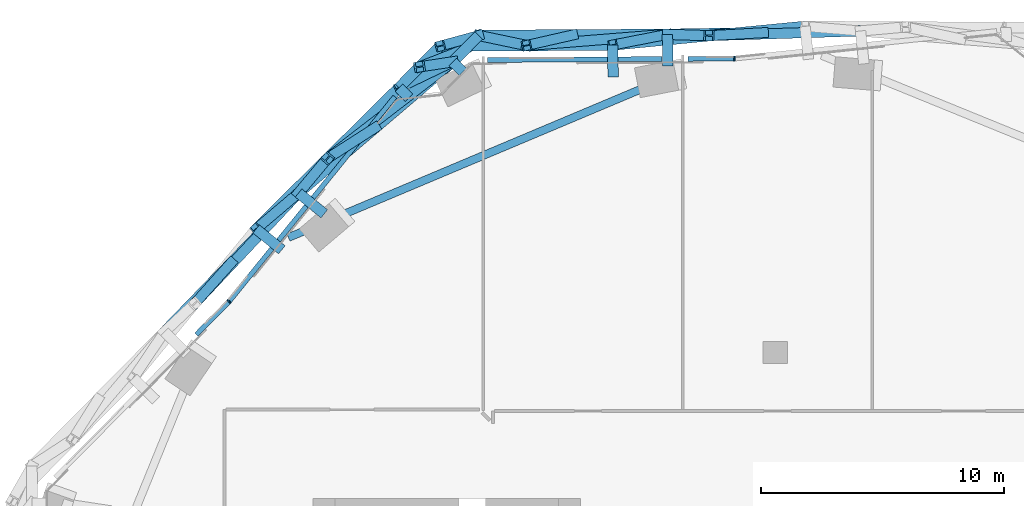
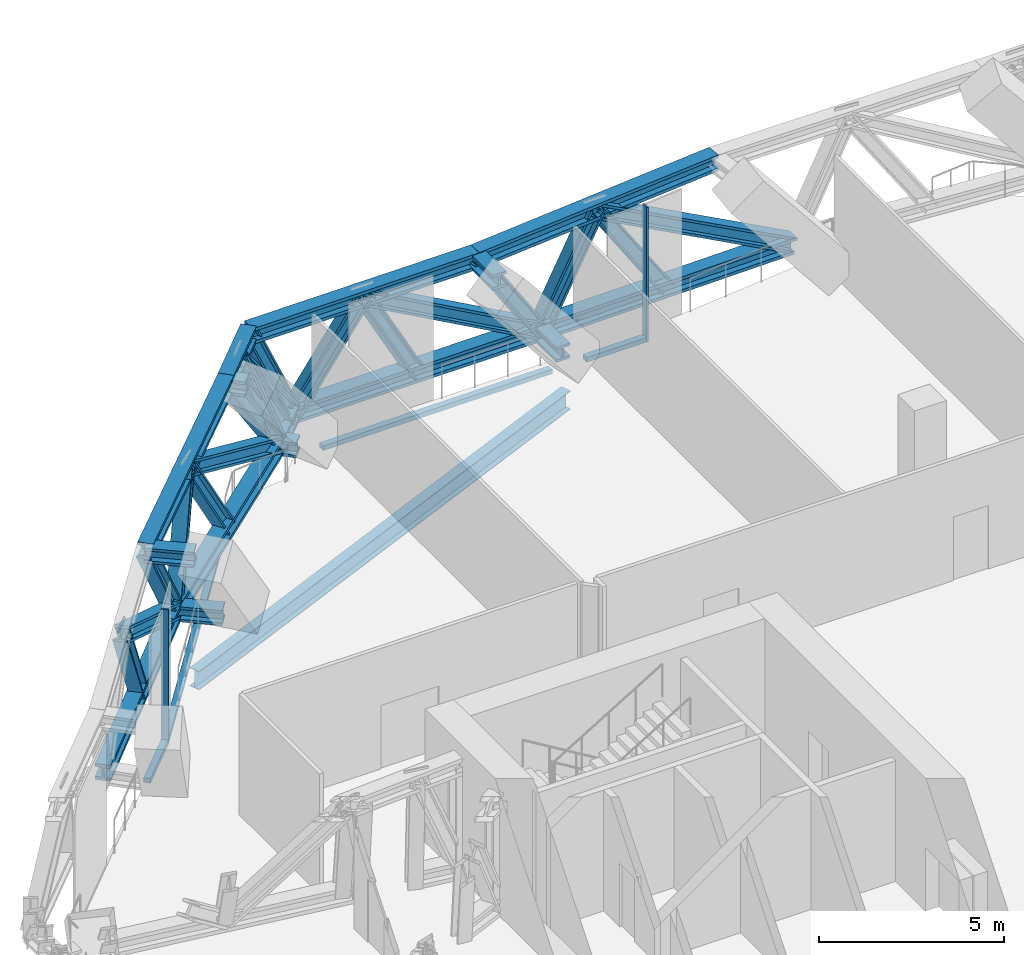
# One storey, part 10 of 27: 39 members, 1 beam, 4 elements without a shape of their own.
"""IFC4 building model written with IfcOpenShell, lengths in metres."""

from ifc_helpers import new_model, si_unit, direction, frame, origin, origin_2d, place, context, subcontext, project, spatial, rectangle, i_section, extrude, material, material_profile, profile_set, type_object, element, aggregate, save


model = new_model("IFC4")

# Units and contexts
model_context = context("Model", 3, precision=1e-05, world=origin(), true_north=direction((0.0, 1.0)))
body_context = subcontext(model_context, "Body", "Model", "MODEL_VIEW")
ifc_project = project(units=[si_unit("LENGTHUNIT", "METRE"), si_unit("AREAUNIT", "SQUARE_METRE"), si_unit("VOLUMEUNIT", "CUBIC_METRE"), si_unit("PLANEANGLEUNIT", "RADIAN"), si_unit("MASSUNIT", "GRAM", prefix="KILO")], contexts=[model_context])

# Site, building, storey
site_placement = place(None, origin())
site = spatial("IfcSite", under=ifc_project, at=site_placement, CompositionType="ELEMENT")
building_placement = place(site_placement, origin())
building = spatial("IfcBuilding", under=site, at=building_placement, Name="Orlundy Tower", CompositionType="ELEMENT")
storey_placement = place(building_placement, frame((0.0, 0.0, 206.10009765625)))
storey = spatial("IfcBuildingStorey", under=building, at=storey_placement, Name="L54", CompositionType="ELEMENT", Elevation=206.10009765625)

# Members
ifc_material_1 = material(Name="Steel ASTM A992 Gr 50", Category="steel")
ifc_material_profile_1 = material_profile(ifc_material_1, i_section(OverallWidth=0.4423828125, OverallDepth=0.531494140625, WebThickness=0.06591796875, FlangeThickness=0.105712890625, at=origin_2d()), Name="W14X605")
ifc_profile_set_1 = profile_set([ifc_material_profile_1], Name="Steel ASTM A992 Gr 50")
member_type_1 = type_object("IfcMemberType", Name="BELT TRUSS chord W14X605", PredefinedType="CHORD", material=ifc_profile_set_1)
member_1_placement = place(storey_placement, frame((3.510986328125, 31.226318359375, 0.28466796875), z_axis=(-0.999845810644, -0.017560038074, 0.0), x_axis=(0.017560038074, -0.999845810644, 0.0)))
element("IfcMember", 1, at=member_1_placement, inside=storey, type_object=member_type_1, Name="Belt truss bottom chord BT-18A", PredefinedType="CHORD", context=body_context, shape_type="SweptSolid", body=[
    extrude(i_section(OverallWidth=0.4423828125, OverallDepth=0.531494140625, WebThickness=0.06591796875, FlangeThickness=0.105712890625, at=origin_2d()), origin(), (0.0, 0.0, 1.0), 7.938720703125),
])
member_2_placement = place(storey_placement, frame((1.231201171875, 31.41357421875, 3.715087890625), z_axis=(-0.995361133107, -0.096209223573, 0.0), x_axis=(0.096209223573, -0.995361133107, 0.0)))
element("IfcMember", 2, at=member_2_placement, inside=storey, type_object=member_type_1, Name="Belt truss top chord BT-18A", PredefinedType="CHORD", context=body_context, shape_type="SweptSolid", body=[
    extrude(i_section(OverallWidth=0.4423828125, OverallDepth=0.531494140625, WebThickness=0.06591796875, FlangeThickness=0.105712890625, at=origin_2d()), origin(), (0.0, 0.0, 1.0), 7.940185546875),
])
member_3_placement = place(storey_placement, frame((-4.426513671875, 31.0869140625, 0.28466796875), z_axis=(-0.999982871016, -0.005853005665, 0.0), x_axis=(0.005853005665, -0.999982871016, 0.0)))
element("IfcMember", 3, at=member_3_placement, inside=storey, type_object=member_type_1, Name="Belt truss bottom chord BT-19A", PredefinedType="CHORD", context=body_context, shape_type="SweptSolid", body=[
    extrude(i_section(OverallWidth=0.4423828125, OverallDepth=0.531494140625, WebThickness=0.06591796875, FlangeThickness=0.105712890625, at=origin_2d()), origin(), (0.0, 0.0, 1.0), 7.758544921875),
])
member_4_placement = place(storey_placement, frame((-6.672119140625, 30.649658203125, 3.715087890625), z_axis=(-0.999982718439, -0.005879015501, 0.0), x_axis=(0.005879015501, -0.999982718439, 0.0)))
element("IfcMember", 4, at=member_4_placement, inside=storey, type_object=member_type_1, Name="Belt truss top chord BT-19A", PredefinedType="CHORD", context=body_context, shape_type="SweptSolid", body=[
    extrude(i_section(OverallWidth=0.4423828125, OverallDepth=0.531494140625, WebThickness=0.06591796875, FlangeThickness=0.105712890625, at=origin_2d()), origin(), (0.0, 0.0, 1.0), 7.101318359375),
])
member_5_placement = place(storey_placement, frame((-12.184814453125, 31.04150390625, 0.28466796875), z_axis=(-0.702932326579, -0.711256735821, 0.0), x_axis=(0.711256735821, -0.702932326579, 0.0)))
element("IfcMember", 5, at=member_5_placement, inside=storey, type_object=member_type_1, Name="Belt truss bottom chord BT-19B", PredefinedType="CHORD", context=body_context, shape_type="SweptSolid", body=[
    extrude(i_section(OverallWidth=0.4423828125, OverallDepth=0.531494140625, WebThickness=0.06591796875, FlangeThickness=0.105712890625, at=origin_2d()), origin(), (0.0, 0.0, 1.0), 1.525146484375),
])
member_6_placement = place(storey_placement, frame((-13.773193359375, 30.60791015625, 3.715087890625), z_axis=(-0.703042465373, -0.71114786921, 0.0), x_axis=(0.71114786921, -0.703042465373, 0.0)))
element("IfcMember", 6, at=member_6_placement, inside=storey, type_object=member_type_1, Name="Belt truss top chord BT-19B", PredefinedType="CHORD", context=body_context, shape_type="SweptSolid", body=[
    extrude(i_section(OverallWidth=0.4423828125, OverallDepth=0.531494140625, WebThickness=0.06591796875, FlangeThickness=0.105712890625, at=origin_2d()), origin(), (0.0, 0.0, 1.0), 2.40966796875),
])
member_7_placement = place(storey_placement, frame((-13.2568359375, 29.956787109375, 0.28466796875), z_axis=(-0.76168381758, -0.647948888445, 0.0), x_axis=(0.647948888445, -0.76168381758, 0.0)))
element("IfcMember", 7, at=member_7_placement, inside=storey, type_object=member_type_1, Name="Belt truss bottom chord BT-20A", PredefinedType="CHORD", context=body_context, shape_type="SweptSolid", body=[
    extrude(i_section(OverallWidth=0.4423828125, OverallDepth=0.531494140625, WebThickness=0.06591796875, FlangeThickness=0.105712890625, at=origin_2d()), origin(), (0.0, 0.0, 1.0), 8.324462890625),
])
member_8_placement = place(storey_placement, frame((-15.46728515625, 28.894287109375, 3.715087890625), z_axis=(-0.710908110132, -0.703284905958, 0.0), x_axis=(0.703284905958, -0.710908110132, 0.0)))
element("IfcMember", 8, at=member_8_placement, inside=storey, type_object=member_type_1, Name="Belt truss top chord BT-20A", PredefinedType="CHORD", context=body_context, shape_type="SweptSolid", body=[
    extrude(i_section(OverallWidth=0.4423828125, OverallDepth=0.531494140625, WebThickness=0.06591796875, FlangeThickness=0.105712890625, at=origin_2d()), origin(), (0.0, 0.0, 1.0), 8.2626953125),
])
member_9_placement = place(storey_placement, frame((-19.597412109375, 24.56298828125, 0.28466796875), z_axis=(-0.69466750229, -0.71933098172, 0.0), x_axis=(0.71933098172, -0.69466750229, 0.0)))
element("IfcMember", 9, at=member_9_placement, inside=storey, type_object=member_type_1, Name="Belt truss bottom chord BT-21A", PredefinedType="CHORD", context=body_context, shape_type="SweptSolid", body=[
    extrude(i_section(OverallWidth=0.4423828125, OverallDepth=0.531494140625, WebThickness=0.06591796875, FlangeThickness=0.105712890625, at=origin_2d()), origin(), (0.0, 0.0, 1.0), 7.93896484375),
])
ifc_material_2 = material(Name="Steel ASTM A992 Gr 50", Category="steel")
ifc_material_profile_2 = material_profile(ifc_material_2, i_section(OverallWidth=0.42431640625, OverallDepth=0.47412109375, WebThickness=0.0478515625, FlangeThickness=0.0771484375, at=origin_2d()), Name="W14X426")
ifc_profile_set_2 = profile_set([ifc_material_profile_2], Name="Steel ASTM A992 Gr 50")
member_type_2 = type_object("IfcMemberType", Name="BELT TRUSS diagonal W14X426", PredefinedType="BRACE", material=ifc_profile_set_2)
member_10_placement = place(storey_placement, frame((3.510986328125, 31.226318359375, 0.28466796875), z_axis=(-0.87570194342, -0.027378551593, 0.482075223593), x_axis=(0.031249422927, -0.999511617525, 0.0)))
element("IfcMember", 10, at=member_10_placement, inside=storey, type_object=member_type_2, Name="Belt truss diagonal BT-18A-0", PredefinedType="BRACE", context=body_context, shape_type="SweptSolid", body=[
    extrude(i_section(OverallWidth=0.42431640625, OverallDepth=0.47412109375, WebThickness=0.0478515625, FlangeThickness=0.0771484375, at=origin_2d()), origin(), (0.0, 0.0, 1.0), 7.115966796875),
])
member_11_placement = place(storey_placement, frame((-2.720458984375, 31.031494140625, 3.715087890625), z_axis=(-0.44525428355, 0.014463755347, -0.895287340892), x_axis=(-0.032467133147, -0.999472803665, 0.0)))
element("IfcMember", 11, at=member_11_placement, inside=storey, type_object=member_type_2, Name="Belt truss diagonal BT-18A-1", PredefinedType="BRACE", context=body_context, shape_type="SweptSolid", body=[
    extrude(i_section(OverallWidth=0.42431640625, OverallDepth=0.47412109375, WebThickness=0.0478515625, FlangeThickness=0.0771484375, at=origin_2d()), origin(), (0.0, 0.0, 1.0), 3.83154296875),
])
member_12_placement = place(storey_placement, frame((-4.426513671875, 31.0869140625, 0.28466796875), z_axis=(-0.858590551221, -0.067845325559, 0.508152808862), x_axis=(0.078773865896, -0.996892510781, 0.0)))
element("IfcMember", 12, at=member_12_placement, inside=storey, type_object=member_type_2, Name="Belt truss diagonal BT-19A-0", PredefinedType="BRACE", context=body_context, shape_type="SweptSolid", body=[
    extrude(i_section(OverallWidth=0.42431640625, OverallDepth=0.47412109375, WebThickness=0.0478515625, FlangeThickness=0.0771484375, at=origin_2d()), origin(), (0.0, 0.0, 1.0), 6.750732421875),
])
member_13_placement = place(storey_placement, frame((-10.22265625, 30.62890625, 3.715087890625), z_axis=(-0.493820741293, 0.103839374491, -0.863341450281), x_axis=(-0.205777286995, -0.978598849456, 0.0)))
element("IfcMember", 13, at=member_13_placement, inside=storey, type_object=member_type_2, Name="Belt truss diagonal BT-19A-1", PredefinedType="BRACE", context=body_context, shape_type="SweptSolid", body=[
    extrude(i_section(OverallWidth=0.42431640625, OverallDepth=0.47412109375, WebThickness=0.0478515625, FlangeThickness=0.0771484375, at=origin_2d()), origin(), (0.0, 0.0, 1.0), 3.973388671875),
])
member_14_placement = place(storey_placement, frame((-12.184814453125, 31.04150390625, 0.28466796875), z_axis=(-0.553469058436, -0.293212106439, 0.779550294716), x_axis=(0.468135960412, -0.883656450533, 0.0)))
element("IfcMember", 14, at=member_14_placement, inside=storey, type_object=member_type_2, Name="Belt truss diagonal BT-19B-0", PredefinedType="BRACE", context=body_context, shape_type="SweptSolid", body=[
    extrude(i_section(OverallWidth=0.42431640625, OverallDepth=0.47412109375, WebThickness=0.0478515625, FlangeThickness=0.0771484375, at=origin_2d()), origin(), (0.0, 0.0, 1.0), 4.400390625),
])
member_15_placement = place(storey_placement, frame((-14.620361328125, 29.751220703125, 3.715087890625), z_axis=(0.368800114337, 0.055600661821, -0.927844298398), x_axis=(-0.149076317579, 0.988825693202, 0.0)))
element("IfcMember", 15, at=member_15_placement, inside=storey, type_object=member_type_2, Name="Belt truss diagonal BT-19B-1", PredefinedType="BRACE", context=body_context, shape_type="SweptSolid", body=[
    extrude(i_section(OverallWidth=0.42431640625, OverallDepth=0.47412109375, WebThickness=0.0478515625, FlangeThickness=0.0771484375, at=origin_2d()), origin(), (0.0, 0.0, 1.0), 3.697265625),
])
member_16_placement = place(storey_placement, frame((-13.2568359375, 29.956787109375, 0.28466796875), z_axis=(-0.70042040803, -0.53993231321, 0.466780836332), x_axis=(0.610525532489, -0.791996574601, 0.0)))
element("IfcMember", 16, at=member_16_placement, inside=storey, type_object=member_type_2, Name="Belt truss diagonal BT-20A-0", PredefinedType="BRACE", context=body_context, shape_type="SweptSolid", body=[
    extrude(i_section(OverallWidth=0.42431640625, OverallDepth=0.47412109375, WebThickness=0.0478515625, FlangeThickness=0.0771484375, at=origin_2d()), origin(), (0.0, 0.0, 1.0), 7.34912109375),
])
member_17_placement = place(storey_placement, frame((-18.404296875, 25.98876953125, 3.715087890625), z_axis=(-0.305784709016, -0.365414917261, -0.879185788088), x_axis=(0.766906467352, -0.641758888005, 0.0)))
element("IfcMember", 17, at=member_17_placement, inside=storey, type_object=member_type_2, Name="Belt truss diagonal BT-20A-1", PredefinedType="BRACE", context=body_context, shape_type="SweptSolid", body=[
    extrude(i_section(OverallWidth=0.42431640625, OverallDepth=0.47412109375, WebThickness=0.0478515625, FlangeThickness=0.0771484375, at=origin_2d()), origin(), (0.0, 0.0, 1.0), 3.90185546875),
])
member_18_placement = place(storey_placement, frame((-19.597412109375, 24.56298828125, 0.28466796875), z_axis=(-0.599871858117, -0.638571054911, 0.482058877804), x_axis=(0.728846887804, -0.684676722358, 0.0)))
element("IfcMember", 18, at=member_18_placement, inside=storey, type_object=member_type_2, Name="Belt truss diagonal BT-21A-0", PredefinedType="BRACE", context=body_context, shape_type="SweptSolid", body=[
    extrude(i_section(OverallWidth=0.42431640625, OverallDepth=0.47412109375, WebThickness=0.0478515625, FlangeThickness=0.0771484375, at=origin_2d()), origin(), (0.0, 0.0, 1.0), 7.1162109375),
])
ifc_material_3 = material(Name="Steel ASTM A992 Gr 50", Category="steel")
ifc_material_profile_3 = material_profile(ifc_material_3, i_section(OverallWidth=0.412109375, OverallDepth=0.434814453125, WebThickness=0.035888671875, FlangeThickness=0.057373046875, at=origin_2d()), Name="W14X311")
ifc_profile_set_3 = profile_set([ifc_material_profile_3], Name="Steel ASTM A992 Gr 50")
member_type_3 = type_object("IfcMemberType", Name="BELT TRUSS post W14X311", PredefinedType="POST", material=ifc_profile_set_3)
member_19_placement = place(storey_placement, frame((-0.4580078125, 31.15673828125, 0.28466796875), z_axis=(-0.550311021038, -0.030463963936, 0.834403815323), x_axis=(0.05527309416, -0.998471274029, 0.0)))
element("IfcMember", 19, at=member_19_placement, inside=storey, type_object=member_type_3, Name="Belt truss post BT-18A-1", PredefinedType="POST", context=body_context, shape_type="SweptSolid", body=[
    extrude(i_section(OverallWidth=0.412109375, OverallDepth=0.434814453125, WebThickness=0.035888671875, FlangeThickness=0.057373046875, at=origin_2d()), origin(), (0.0, 0.0, 1.0), 4.111328125),
])
member_20_placement = place(storey_placement, frame((-4.426513671875, 31.0869140625, 0.28466796875), z_axis=(-0.544611816567, -0.106044766631, 0.831957016153), x_axis=(0.191126720871, -0.981565370502, 0.0)))
element("IfcMember", 20, at=member_20_placement, inside=storey, type_object=member_type_3, Name="Belt truss post BT-18A-2", PredefinedType="POST", context=body_context, shape_type="SweptSolid", body=[
    extrude(i_section(OverallWidth=0.412109375, OverallDepth=0.434814453125, WebThickness=0.035888671875, FlangeThickness=0.057373046875, at=origin_2d()), origin(), (0.0, 0.0, 1.0), 4.123291015625),
])
member_21_placement = place(storey_placement, frame((-8.3056640625, 31.064208984375, 0.28466796875), z_axis=(-0.484854339263, -0.110098737507, 0.867637330742), x_axis=(0.221438590079, -0.975174318173, 0.0)))
element("IfcMember", 21, at=member_21_placement, inside=storey, type_object=member_type_3, Name="Belt truss post BT-19A-1", PredefinedType="POST", context=body_context, shape_type="SweptSolid", body=[
    extrude(i_section(OverallWidth=0.412109375, OverallDepth=0.434814453125, WebThickness=0.035888671875, FlangeThickness=0.057373046875, at=origin_2d()), origin(), (0.0, 0.0, 1.0), 3.953857421875),
])
member_22_placement = place(storey_placement, frame((-12.184814453125, 31.04150390625, 0.28466796875), z_axis=(-0.417434987947, -0.113950897417, 0.901533817344), x_axis=(0.263343238679, -0.964702202051, 0.0)))
element("IfcMember", 22, at=member_22_placement, inside=storey, type_object=member_type_3, Name="Belt truss post BT-19A-2", PredefinedType="POST", context=body_context, shape_type="SweptSolid", body=[
    extrude(i_section(OverallWidth=0.412109375, OverallDepth=0.434814453125, WebThickness=0.035888671875, FlangeThickness=0.057373046875, at=origin_2d()), origin(), (0.0, 0.0, 1.0), 3.80517578125),
])
member_23_placement = place(storey_placement, frame((-12.720947265625, 30.499267578125, 0.28466796875), z_axis=(-0.475819088455, -0.18739199062, 0.859348844715), x_axis=(0.366436674893, -0.930442993038, 0.0)))
element("IfcMember", 23, at=member_23_placement, inside=storey, type_object=member_type_3, Name="Belt truss post BT-19B-1", PredefinedType="POST", context=body_context, shape_type="SweptSolid", body=[
    extrude(i_section(OverallWidth=0.412109375, OverallDepth=0.434814453125, WebThickness=0.035888671875, FlangeThickness=0.057373046875, at=origin_2d()), origin(), (0.0, 0.0, 1.0), 3.991943359375),
])
member_24_placement = place(storey_placement, frame((-13.2568359375, 29.956787109375, 0.28466796875), z_axis=(-0.524180428863, -0.251958606849, 0.813481246515), x_axis=(0.433222906521, -0.901286809659, 0.0)))
element("IfcMember", 24, at=member_24_placement, inside=storey, type_object=member_type_3, Name="Belt truss post BT-19B-2", PredefinedType="POST", context=body_context, shape_type="SweptSolid", body=[
    extrude(i_section(OverallWidth=0.412109375, OverallDepth=0.434814453125, WebThickness=0.035888671875, FlangeThickness=0.057373046875, at=origin_2d()), origin(), (0.0, 0.0, 1.0), 4.217041015625),
])
member_25_placement = place(storey_placement, frame((-16.427001953125, 27.260009765625, 0.28466796875), z_axis=(-0.475477152345, -0.305693237716, 0.824907947599), x_axis=(0.540794335172, -0.84115485319, 0.0)))
element("IfcMember", 25, at=member_25_placement, inside=storey, type_object=member_type_3, Name="Belt truss post BT-20A-1", PredefinedType="POST", context=body_context, shape_type="SweptSolid", body=[
    extrude(i_section(OverallWidth=0.412109375, OverallDepth=0.434814453125, WebThickness=0.035888671875, FlangeThickness=0.057373046875, at=origin_2d()), origin(), (0.0, 0.0, 1.0), 4.158447265625),
])
member_26_placement = place(storey_placement, frame((-19.597412109375, 24.56298828125, 0.28466796875), z_axis=(-0.422974746982, -0.358903813728, 0.8320339031), x_axis=(0.646994374837, -0.762494773051, 0.0)))
element("IfcMember", 26, at=member_26_placement, inside=storey, type_object=member_type_3, Name="Belt truss post BT-20A-2", PredefinedType="POST", context=body_context, shape_type="SweptSolid", body=[
    extrude(i_section(OverallWidth=0.412109375, OverallDepth=0.434814453125, WebThickness=0.035888671875, FlangeThickness=0.057373046875, at=origin_2d()), origin(), (0.0, 0.0, 1.0), 4.123046875),
])
member_27_placement = place(storey_placement, frame((-22.354736328125, 21.70751953125, 0.28466796875), z_axis=(-0.367624672192, -0.410734914804, 0.834355397991), x_axis=(0.745128606747, -0.666920804449, 0.0)))
element("IfcMember", 27, at=member_27_placement, inside=storey, type_object=member_type_3, Name="Belt truss post BT-21A-1", PredefinedType="POST", context=body_context, shape_type="SweptSolid", body=[
    extrude(i_section(OverallWidth=0.412109375, OverallDepth=0.434814453125, WebThickness=0.035888671875, FlangeThickness=0.057373046875, at=origin_2d()), origin(), (0.0, 0.0, 1.0), 4.111572265625),
])
ifc_material_4 = material(Name="Steel ASTM A992 Gr 50", Category="steel")
ifc_material_profile_4 = material_profile(ifc_material_4, i_section(OverallWidth=0.43212890625, OverallDepth=0.497802734375, WebThickness=0.0556640625, FlangeThickness=0.0888671875, at=origin_2d()), Name="W14X500")
ifc_profile_set_4 = profile_set([ifc_material_profile_4], Name="Steel ASTM A992 Gr 50")
member_type_4 = type_object("IfcMemberType", Name="BELT TRUSS strut W14X500", PredefinedType="STRUT", material=ifc_profile_set_4)
for number, where, z_axis, x_axis, name in (
    (28, (-4.4189453125, 29.777099609375, 0.28466796875), (-0.005778095528, 0.999983306667, 0.0), (-0.999983306667, -0.005778095528, 0.0), "Belt truss bracket C-H23"),
    (29, (-6.664306640625, 29.33984375, 3.715087890625), (-0.005964479179, 0.999982212336, 0.0), (-0.999982212336, -0.005964479179, 0.0), "Belt truss bracket C-H23"),
):
    element("IfcMember", number, at=place(storey_placement, frame(where, z_axis=z_axis, x_axis=x_axis)), inside=storey, type_object=member_type_4, Name=name, PredefinedType="STRUT", context=body_context, shape_type="SweptSolid", body=[
        extrude(i_section(OverallWidth=0.43212890625, OverallDepth=0.497802734375, WebThickness=0.0556640625, FlangeThickness=0.0888671875, at=origin_2d()), origin(), (0.0, 0.0, 1.0), 1.309814453125),
    ])
member_28_placement = place(storey_placement, frame((-12.843505859375, 29.54833984375, 0.28466796875), z_axis=(-0.711295691596, 0.702892907289, 0.0), x_axis=(-0.702892907289, -0.711295691596, 0.0)))
element("IfcMember", 30, at=member_28_placement, inside=storey, type_object=member_type_4, Name="Belt truss bracket C-H22", PredefinedType="STRUT", context=body_context, shape_type="SweptSolid", body=[
    extrude(i_section(OverallWidth=0.43212890625, OverallDepth=0.497802734375, WebThickness=0.0556640625, FlangeThickness=0.0888671875, at=origin_2d()), origin(), (0.0, 0.0, 1.0), 0.5810546875),
])
member_29_placement = place(storey_placement, frame((-15.053955078125, 28.485595703125, 3.715087890625), z_axis=(-0.7110856671, 0.703105379047, 0.0), x_axis=(-0.703105379047, -0.7110856671, 0.0)))
element("IfcMember", 31, at=member_29_placement, inside=storey, type_object=member_type_4, Name="Belt truss bracket C-H22", PredefinedType="STRUT", context=body_context, shape_type="SweptSolid", body=[
    extrude(i_section(OverallWidth=0.43212890625, OverallDepth=0.497802734375, WebThickness=0.0556640625, FlangeThickness=0.0888671875, at=origin_2d()), origin(), (0.0, 0.0, 1.0), 0.581298828125),
])
member_30_placement = place(storey_placement, frame((-18.540771484375, 23.70751953125, 0.28466796875), z_axis=(-0.777211414075, 0.629239555203, 0.0), x_axis=(-0.629239555203, -0.777211414075, 0.0)))
element("IfcMember", 32, at=member_30_placement, inside=storey, type_object=member_type_4, Name="Belt truss bracket C-H21", PredefinedType="STRUT", context=body_context, shape_type="SweptSolid", body=[
    extrude(i_section(OverallWidth=0.43212890625, OverallDepth=0.497802734375, WebThickness=0.0556640625, FlangeThickness=0.0888671875, at=origin_2d()), origin(), (0.0, 0.0, 1.0), 1.359619140625),
])
member_31_placement = place(storey_placement, frame((-20.284912109375, 22.227783203125, 3.715087890625), z_axis=(-0.777140296838, 0.629327386208, 0.0), x_axis=(-0.629327386208, -0.777140296838, 0.0)))
element("IfcMember", 33, at=member_31_placement, inside=storey, type_object=member_type_4, Name="Belt truss bracket C-H21", PredefinedType="STRUT", context=body_context, shape_type="SweptSolid", body=[
    extrude(i_section(OverallWidth=0.43212890625, OverallDepth=0.497802734375, WebThickness=0.0556640625, FlangeThickness=0.0888671875, at=origin_2d()), origin(), (0.0, 0.0, 1.0), 1.359375),
])

# Beam
ifc_material_5 = material(Name="Steel ASTM A992 Gr 50", Category="steel")
ifc_material_profile_5 = material_profile(ifc_material_5, i_section(OverallWidth=0.32373046875, OverallDepth=0.611083984375, WebThickness=0.0126953125, FlangeThickness=0.01904296875, at=origin_2d()), Name="W24X104")
ifc_profile_set_5 = profile_set([ifc_material_profile_5], Name="Steel ASTM A992 Gr 50")
beam_type = type_object("IfcBeamType", Name="CANTILEVER GIRDER beam W24X104", PredefinedType="BEAM", material=ifc_profile_set_5)
beam_placement = place(storey_placement, frame((-20.013671875, 22.730712890625, -0.755615234375), z_axis=(0.921646418171, 0.388030771812, 0.0), x_axis=(-0.388030771812, 0.921646418171, 0.0)))
element("IfcBeam", 34, at=beam_placement, inside=storey, type_object=beam_type, Name="Cantilever girder C-H21 L54", PredefinedType="BEAM", context=body_context, shape_type="SweptSolid", body=[
    extrude(i_section(OverallWidth=0.32373046875, OverallDepth=0.611083984375, WebThickness=0.0126953125, FlangeThickness=0.01904296875, at=origin_2d()), origin(), (0.0, 0.0, 1.0), 16.6455078125),
])

# Curtain wall, member
ifc_material_6 = material(Name="Aluminium bronze anodised", Category="aluminium")
curtain_wall_type = type_object("IfcCurtainWallType", Name="CW4 wall", PredefinedType="NOTDEFINED", material=ifc_material_6)
curtain_wall_1_placement = place(storey_placement, origin())
curtain_wall_1 = element("IfcCurtainWall", 35, at=curtain_wall_1_placement, inside=storey, type_object=curtain_wall_type, Name="CW4 run 08", PredefinedType="NOTDEFINED")
ifc_material_7 = material(Name="Aluminium bronze anodised", Category="aluminium")
ifc_material_profile_6 = material_profile(ifc_material_7, rectangle(XDim=0.199951171875, YDim=0.06005859375, at=origin_2d()), Name="CW4 mullion 60x200")
ifc_profile_set_6 = profile_set([ifc_material_profile_6], Name="Aluminium bronze anodised")
member_type_5 = type_object("IfcMemberType", Name="CW4 mullion 60x200", PredefinedType="MULLION", material=ifc_profile_set_6)
member_32_placement = place(storey_placement, frame((-22.45361328125, 20.101806640625, -0.4501953125), z_axis=(0.0, 0.0, 1.0), x_axis=(-0.745082188671, 0.666972662203, 0.0)))
member_32 = element("IfcMember", 36, at=member_32_placement, type_object=member_type_5, Name="CW4 mullion 13", PredefinedType="MULLION", context=body_context, shape_type="SweptSolid", body=[
    extrude(rectangle(XDim=0.199951171875, YDim=0.06005859375, at=origin_2d()), origin(), (0.0, 0.0, 1.0), 4.4501953125),
])

curtain_wall_2_placement = place(storey_placement, origin())
curtain_wall_2 = element("IfcCurtainWall", 37, at=curtain_wall_2_placement, inside=storey, type_object=curtain_wall_type, Name="CW4 run 012", PredefinedType="NOTDEFINED")
member_33_placement = place(storey_placement, frame((-1.66845703125, 30.091064453125, -0.4501953125), z_axis=(0.0, 0.0, 1.0), x_axis=(-0.055254562201, 0.998472299744, 0.0)))
member_33 = element("IfcMember", 38, at=member_33_placement, type_object=member_type_5, Name="CW4 mullion 19", PredefinedType="MULLION", context=body_context, shape_type="SweptSolid", body=[
    extrude(rectangle(XDim=0.199951171875, YDim=0.06005859375, at=origin_2d()), origin(), (0.0, 0.0, 1.0), 4.4501953125),
])
aggregate(curtain_wall_2, [member_33])

curtain_wall_3_placement = place(storey_placement, origin())
curtain_wall_3 = element("IfcCurtainWall", 39, at=curtain_wall_3_placement, inside=storey, type_object=curtain_wall_type, Name="CW4 run 07", PredefinedType="NOTDEFINED")
ifc_material_8 = material(Name="Aluminium bronze anodised", Category="aluminium")
ifc_material_profile_7 = material_profile(ifc_material_8, rectangle(XDim=0.199951171875, YDim=0.14990234375, at=origin_2d()), Name="CW4 transom 200x150")
ifc_profile_set_7 = profile_set([ifc_material_profile_7], Name="Aluminium bronze anodised")
member_type_6 = type_object("IfcMemberType", Name="CW4 transom 200x150", PredefinedType="USERDEFINED", material=ifc_profile_set_7)
member_34_placement = place(storey_placement, frame((-23.796630859375, 18.742919921875, -0.375), z_axis=(0.703005450008, 0.711184460783, 0.0), x_axis=(-0.711184460783, 0.703005450008, 0.0)))
member_34 = element("IfcMember", 40, at=member_34_placement, type_object=member_type_6, Name="CW4 transom", ObjectType="TRANSOM", PredefinedType="USERDEFINED", context=body_context, shape_type="SweptSolid", body=[
    extrude(rectangle(XDim=0.199951171875, YDim=0.14990234375, at=origin_2d()), origin(), (0.0, 0.0, 1.0), 1.880615234375),
])
aggregate(curtain_wall_3, [member_34])

# Member
member_35_placement = place(storey_placement, frame((-22.434814453125, 20.125, -0.375), z_axis=(0.629340561964, 0.777129626939, 0.0), x_axis=(-0.777129626939, 0.629340561964, 0.0)))
member_35 = element("IfcMember", 41, at=member_35_placement, type_object=member_type_6, Name="CW4 transom", ObjectType="TRANSOM", PredefinedType="USERDEFINED", context=body_context, shape_type="SweptSolid", body=[
    extrude(rectangle(XDim=0.199951171875, YDim=0.14990234375, at=origin_2d()), origin(), (0.0, 0.0, 1.0), 10.805419921875),
])

aggregate(curtain_wall_1, [member_32, member_35])

# Curtain wall, members
curtain_wall_4_placement = place(storey_placement, origin())
curtain_wall_4 = element("IfcCurtainWall", 42, at=curtain_wall_4_placement, inside=storey, type_object=curtain_wall_type, Name="CW4 run 011", PredefinedType="NOTDEFINED")
member_36_placement = place(storey_placement, frame((-11.8310546875, 30.031494140625, -0.375), z_axis=(0.999982912781, 0.005845865713, 0.0), x_axis=(-0.005845865713, 0.999982912781, 0.0)))
member_36 = element("IfcMember", 43, at=member_36_placement, type_object=member_type_6, Name="CW4 transom", ObjectType="TRANSOM", PredefinedType="USERDEFINED", context=body_context, shape_type="SweptSolid", body=[
    extrude(rectangle(XDim=0.199951171875, YDim=0.14990234375, at=origin_2d()), origin(), (0.0, 0.0, 1.0), 7.183349609375),
])
member_37_placement = place(storey_placement, frame((-3.57373046875, 30.079833984375, -0.375), z_axis=(0.999982838774, 0.005858511619, 0.0), x_axis=(-0.005858511619, 0.999982838774, 0.0)))
member_37 = element("IfcMember", 44, at=member_37_placement, type_object=member_type_6, Name="CW4 transom", ObjectType="TRANSOM", PredefinedType="USERDEFINED", context=body_context, shape_type="SweptSolid", body=[
    extrude(rectangle(XDim=0.199951171875, YDim=0.14990234375, at=origin_2d()), origin(), (0.0, 0.0, 1.0), 1.875244140625),
])
aggregate(curtain_wall_4, [member_36, member_37])

save(model, "model.ifc")
